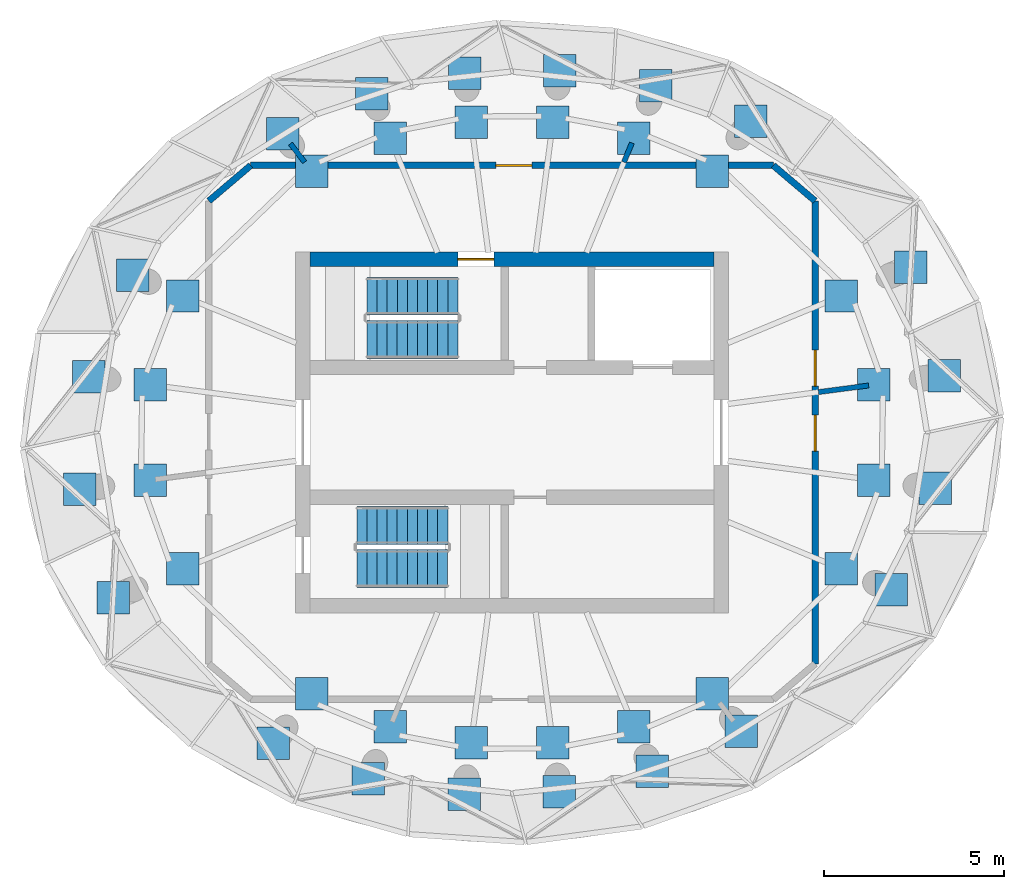
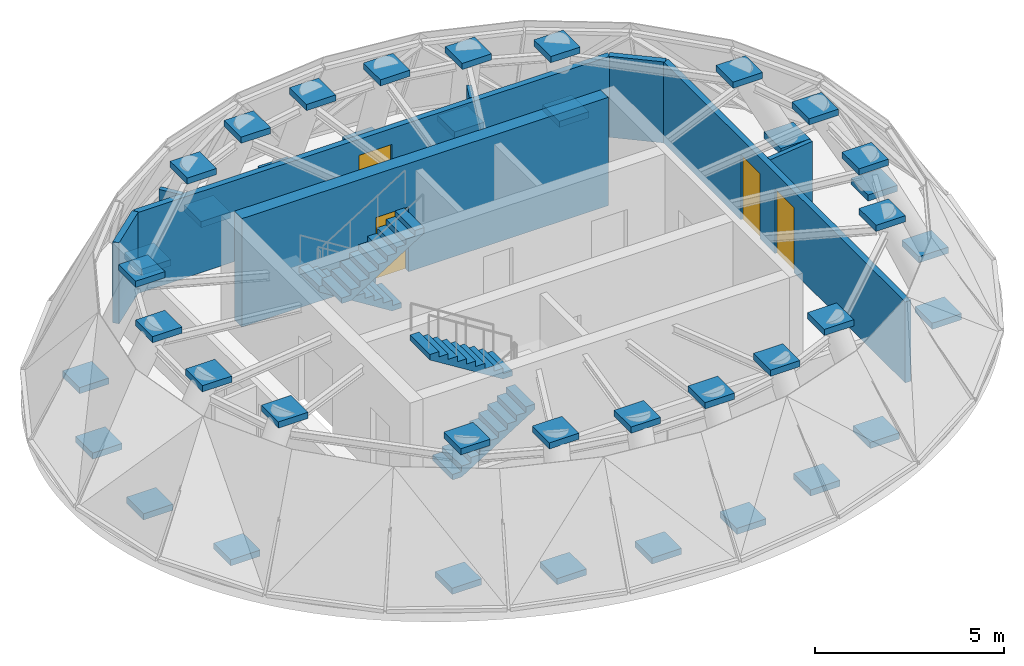
# One storey, part 7 of 8: 40 discrete accessories, 8 walls, 4 doors, 4 stair flights, 4 openings, 2 elements without a shape of their own.
"""IFC4 building model written with IfcOpenShell, lengths in metres."""

from ifc_helpers import new_model, si_unit, direction, frame, frame_2d, origin, origin_2d, place, context, subcontext, project, spatial, line, indexed_curve, rectangle, outline, extrude, source, transform, mapped, material, layer, layer_set, type_object, element, fill, aggregate, save


model = new_model("IFC4")

# Units and contexts
model_context = context("Model", 3, precision=1e-05, world=origin(), true_north=direction((0.0, 1.0)))
body_context = subcontext(model_context, "Body", "Model", "MODEL_VIEW")
ifc_project = project(units=[si_unit("LENGTHUNIT", "METRE"), si_unit("AREAUNIT", "SQUARE_METRE"), si_unit("VOLUMEUNIT", "CUBIC_METRE"), si_unit("PLANEANGLEUNIT", "RADIAN"), si_unit("MASSUNIT", "GRAM", prefix="KILO")], contexts=[model_context])

# Site, building, storey
site_placement = place(None, origin())
site = spatial("IfcSite", under=ifc_project, at=site_placement, CompositionType="ELEMENT")
building_placement = place(site_placement, origin())
building = spatial("IfcBuilding", under=site, at=building_placement, Name="Spindrift Exchange Tower", CompositionType="ELEMENT")
storey_placement = place(building_placement, frame((0.0, 0.0, 283.60009765625)))
storey = spatial("IfcBuildingStorey", under=building, at=storey_placement, Name="L70", CompositionType="ELEMENT", Elevation=283.60009765625)

# Wall, opening, door
ifc_material_1 = material(Name="Concrete 40 MPa", Category="concrete")
ifc_layer_1 = layer(ifc_material_1, 0.39990234375)
ifc_layer_set_1 = layer_set([ifc_layer_1], Name="RC Core Wall 400 Concrete 40 MPa")
wall_type_1 = type_object("IfcWallType", Name="RC Core Wall 400 Concrete 40 MPa", PredefinedType="SHEAR", material=ifc_layer_set_1)
wall_1_placement = place(storey_placement, frame((57.60009765625, 52.800048828125, 0.0), z_axis=(0.0, 0.0, 1.0), x_axis=(-1.0, 0.0, 0.0)))
wall_1 = element("IfcWall", 1, at=wall_1_placement, inside=storey, type_object=wall_type_1, Name="Core wall N L70", PredefinedType="SHEAR", context=body_context, shape_type="SweptSolid", body=[
    extrude(rectangle(XDim=11.2001953125, YDim=0.39990234375, at=frame_2d((5.60009765625, 0.0))), origin(), (0.0, 0.0, 1.0), 3.5),
])
opening_1_placement = place(wall_1_placement, frame((6.10009765625, 0.0, 0.0)))
opening_1 = element("IfcOpeningElement", 2, at=opening_1_placement, cuts=wall_1, Name="Opening L70-D3", PredefinedType="OPENING", context=body_context, shape_type="SweptSolid", body=[
    extrude(rectangle(XDim=1.0, YDim=2.10009765625, at=frame_2d((0.5, 1.050048828125))), frame((0.0, 0.2099609375, 0.0), z_axis=(0.0, -1.0, 0.0), x_axis=(1.0, 0.0, 0.0)), (0.0, 0.0, 1.0), 0.419921875),
])
ifc_material_2 = material(Name="Steel fire door", Category="steel")
door_type_1 = type_object("IfcDoorType", Name="DR-STAIR-1000", OperationType="NOTDEFINED", PredefinedType="DOOR", material=ifc_material_2)
shared_shape_1 = source(origin(), body_context, "Body", "SweptSolid", [
    extrude(rectangle(XDim=1.0, YDim=2.10009765625, at=frame_2d((0.5, 1.050048828125))), frame((0.0, 0.02490234375, 0.0), z_axis=(0.0, -1.0, 0.0), x_axis=(1.0, 0.0, 0.0)), (0.0, 0.0, 1.0), 0.050048828125),
])
door_1_placement = place(opening_1_placement, origin())
door_1 = element("IfcDoor", 3, at=door_1_placement, inside=storey, type_object=door_type_1, Name="L70 Stair door 3", OperationType="SINGLE_SWING_RIGHT", OverallHeight=2.10009765625, OverallWidth=1.0, PredefinedType="DOOR", context=body_context, shape_type="MappedRepresentation", body=[
    mapped(shared_shape_1, transform((0.0, 0.0, 0.0), scale=1.0)),
])
fill(opening_1, door_1)

# Walls
ifc_material_3 = material(Name="Fire-rated plasterboard partition", Category="gypsum")
ifc_layer_2 = layer(ifc_material_3, 0.139892578125)
ifc_layer_set_2 = layer_set([ifc_layer_2], Name="W-PLANT-140")
wall_type_2 = type_object("IfcWallType", Name="W-PLANT-140", PredefinedType="PARTITIONING", material=ifc_layer_set_2)
wall_2_placement = place(storey_placement, frame((60.489990234375, 49.11767578125, 0.0), z_axis=(0.0, 0.0, 1.0), x_axis=(0.991446604194, 0.130512953506, 0.0)))
element("IfcWall", 4, at=wall_2_placement, inside=storey, type_object=wall_type_2, Name="L70 Partition wall 9", PredefinedType="PARTITIONING", context=body_context, shape_type="SweptSolid", body=[
    extrude(rectangle(XDim=1.40478515625, YDim=0.139892578125, at=frame_2d((0.702392578125, 0.0))), origin(), (0.0, 0.0, 1.0), 2.619873046875),
])
wall_3_placement = place(storey_placement, frame((55.1025390625, 55.489990234375, 0.0), z_axis=(0.0, 0.0, 1.0), x_axis=(0.382564297979, 0.923928870591, 0.0)))
element("IfcWall", 5, at=wall_3_placement, inside=storey, type_object=wall_type_2, Name="L70 Partition wall 11", PredefinedType="PARTITIONING", context=body_context, shape_type="SweptSolid", body=[
    extrude(rectangle(XDim=0.574951171875, YDim=0.139892578125, at=frame_2d((0.28759765625, 0.0))), origin(), (0.0, 0.0, 1.0), 2.619873046875),
])
wall_4_placement = place(storey_placement, frame((46.252685546875, 55.489990234375, 0.0), z_axis=(0.0, 0.0, 1.0), x_axis=(-0.608757758263, 0.79335615694, 0.0)))
element("IfcWall", 6, at=wall_4_placement, inside=storey, type_object=wall_type_2, Name="L70 Partition wall 12", PredefinedType="PARTITIONING", context=body_context, shape_type="SweptSolid", body=[
    extrude(rectangle(XDim=0.64404296875, YDim=0.139892578125, at=frame_2d((0.322021484375, 0.0))), origin(), (0.0, 0.0, 1.0), 2.619873046875),
])

# Wall, opening, door
ifc_layer_3 = layer(ifc_material_3, 0.179931640625)
ifc_layer_set_3 = layer_set([ifc_layer_3], Name="W-PLANT-180")
wall_type_3 = type_object("IfcWallType", Name="W-PLANT-180", PredefinedType="PARTITIONING", material=ifc_layer_set_3)
wall_5_placement = place(storey_placement, frame((44.76025390625, 55.39990234375, 0.0), z_axis=(0.0, 0.0, 1.0), x_axis=(1.0, 0.0, 0.0)))
wall_5 = element("IfcWall", 7, at=wall_5_placement, inside=storey, type_object=wall_type_3, Name="L70 Partition wall 4", PredefinedType="PARTITIONING", context=body_context, shape_type="SweptSolid", body=[
    extrude(rectangle(XDim=14.4794921875, YDim=0.179931640625, at=frame_2d((7.23974609375, 0.0))), origin(), (0.0, 0.0, 1.0), 2.619873046875),
])
opening_2_placement = place(wall_5_placement, frame((6.789794921875, 0.0, 0.0)))
opening_2 = element("IfcOpeningElement", 8, at=opening_2_placement, cuts=wall_5, Name="Opening L70-D7", PredefinedType="OPENING", context=body_context, shape_type="SweptSolid", body=[
    extrude(rectangle(XDim=1.0, YDim=2.10009765625, at=frame_2d((0.5, 1.050048828125))), frame((0.0, 0.099853515625, 0.0), z_axis=(0.0, -1.0, 0.0), x_axis=(1.0, 0.0, 0.0)), (0.0, 0.0, 1.0), 0.199951171875),
])
ifc_material_4 = material(Name="Timber-core fire door", Category="wood")
door_type_2 = type_object("IfcDoorType", Name="DR-ROOM-1000", OperationType="NOTDEFINED", PredefinedType="DOOR", material=ifc_material_4)
shared_shape_2 = source(origin(), body_context, "Body", "SweptSolid", [
    extrude(rectangle(XDim=1.0, YDim=2.10009765625, at=frame_2d((0.5, 1.050048828125))), frame((0.0, 0.02490234375, 0.0), z_axis=(0.0, -1.0, 0.0), x_axis=(1.0, 0.0, 0.0)), (0.0, 0.0, 1.0), 0.050048828125),
])
door_2_placement = place(opening_2_placement, origin())
door_2 = element("IfcDoor", 9, at=door_2_placement, inside=storey, type_object=door_type_2, Name="L70 Door 7", OperationType="SINGLE_SWING_LEFT", OverallHeight=2.10009765625, OverallWidth=1.0, PredefinedType="DOOR", context=body_context, shape_type="MappedRepresentation", body=[
    mapped(shared_shape_2, transform((0.0, 0.0, 0.0), scale=1.0)),
])
fill(opening_2, door_2)

# Wall, openings, doors
wall_6_placement = place(storey_placement, frame((60.39990234375, 54.414306640625, 0.0), z_axis=(0.0, 0.0, 1.0), x_axis=(0.0, -1.0, 0.0)))
wall_6 = element("IfcWall", 10, at=wall_6_placement, inside=storey, type_object=wall_type_3, Name="L70 Partition wall 6", PredefinedType="PARTITIONING", context=body_context, shape_type="SweptSolid", body=[
    extrude(rectangle(XDim=12.82861328125, YDim=0.179931640625, at=frame_2d((6.414306640625, 0.0))), origin(), (0.0, 0.0, 1.0), 2.619873046875),
])
opening_3_placement = place(wall_6_placement, frame((4.13427734375, 0.0, 0.0)))
opening_3 = element("IfcOpeningElement", 11, at=opening_3_placement, cuts=wall_6, Name="Opening L70-D6", PredefinedType="OPENING", context=body_context, shape_type="SweptSolid", body=[
    extrude(rectangle(XDim=1.0, YDim=2.10009765625, at=frame_2d((0.5, 1.050048828125))), frame((0.0, 0.099853515625, 0.0), z_axis=(0.0, -1.0, 0.0), x_axis=(1.0, 0.0, 0.0)), (0.0, 0.0, 1.0), 0.199951171875),
])
opening_4_placement = place(wall_6_placement, frame((5.934326171875, 0.0, 0.0)))
opening_4 = element("IfcOpeningElement", 12, at=opening_4_placement, cuts=wall_6, Name="Opening L70-D11", PredefinedType="OPENING", context=body_context, shape_type="SweptSolid", body=[
    extrude(rectangle(XDim=1.0, YDim=2.10009765625, at=frame_2d((0.5, 1.050048828125))), frame((0.0, 0.099853515625, 0.0), z_axis=(0.0, -1.0, 0.0), x_axis=(1.0, 0.0, 0.0)), (0.0, 0.0, 1.0), 0.199951171875),
])
door_3_placement = place(opening_3_placement, origin())
door_3 = element("IfcDoor", 13, at=door_3_placement, inside=storey, type_object=door_type_2, Name="L70 Door 6", OperationType="SINGLE_SWING_RIGHT", OverallHeight=2.10009765625, OverallWidth=1.0, PredefinedType="DOOR", context=body_context, shape_type="MappedRepresentation", body=[
    mapped(shared_shape_2, transform((0.0, 0.0, 0.0), scale=1.0)),
])
fill(opening_3, door_3)
door_4_placement = place(opening_4_placement, origin())
door_4 = element("IfcDoor", 14, at=door_4_placement, inside=storey, type_object=door_type_2, Name="L70 Door 11", OperationType="SINGLE_SWING_LEFT", OverallHeight=2.10009765625, OverallWidth=1.0, PredefinedType="DOOR", context=body_context, shape_type="MappedRepresentation", body=[
    mapped(shared_shape_2, transform((0.0, 0.0, 0.0), scale=1.0)),
])
fill(opening_4, door_4)

# Walls
for number, where, z_axis, x_axis, name in (
    (15, (59.23974609375, 55.39990234375, 0.0), (0.0, 0.0, 1.0), (0.762113400958, -0.647443560536, 0.0), "L70 Partition wall 14"),
    (16, (44.76025390625, 55.39990234375, 0.0), (0.0, 0.0, 1.0), (-0.762113400958, -0.647443560536, 0.0), "L70 Partition wall 15"),
):
    element("IfcWall", number, at=place(storey_placement, frame(where, z_axis=z_axis, x_axis=x_axis)), inside=storey, type_object=wall_type_3, Name=name, PredefinedType="PARTITIONING", context=body_context, shape_type="SweptSolid", body=[
        extrude(rectangle(XDim=1.522216796875, YDim=0.179931640625, at=frame_2d((0.76123046875, 0.0))), origin(), (0.0, 0.0, 1.0), 2.619873046875),
    ])

# Stair, stair flights
ifc_material_5 = material(Name="Concrete 50 MPa", Category="concrete")
stair_type = type_object("IfcStairType", Name="ST-1050-R175", PredefinedType="HALF_TURN_STAIR", material=ifc_material_5)
stair_1_placement = place(storey_placement, origin())
stair_1 = element("IfcStair", 17, at=stair_1_placement, inside=storey, type_object=stair_type, Name="L70 Exit stair ST3", PredefinedType="HALF_TURN_STAIR")
stair_flight_type = type_object("IfcStairFlightType", Name="STF-1050-R175", PredefinedType="STRAIGHT", material=ifc_material_5)
stair_flight_1_placement = place(storey_placement, frame((50.5, 51.77490234375, 0.0), z_axis=(0.0, 0.0, 1.0), x_axis=(-1.0, 0.0, 0.0)))
stair_flight_1 = element("IfcStairFlight", 18, at=stair_flight_1_placement, type_object=stair_flight_type, Name="ST3 flight 1", NumberOfRisers=10, NumberOfTreads=9, PredefinedType="STRAIGHT", RiserHeight=0.175, TreadLength=0.28, context=body_context, shape_type="SweptSolid", body=[
    extrude(outline(indexed_curve([(0.0, 0.0), (0.0, 0.1748046875), (0.2802734375, 0.1748046875), (0.2802734375, 0.349609375), (0.5595703125, 0.349609375), (0.5595703125, 0.525390625), (0.83984375, 0.525390625), (0.83984375, 0.7001953125), (1.1201171875, 0.7001953125), (1.1201171875, 0.875), (1.400390625, 0.875), (1.400390625, 1.0498046875), (1.6796875, 1.0498046875), (1.6796875, 1.224609375), (1.9599609375, 1.224609375), (1.9599609375, 1.400390625), (2.240234375, 1.400390625), (2.240234375, 1.5751953125), (2.51953125, 1.5751953125), (2.51953125, 1.75), (2.51953125, 1.3984375), (0.283203125, 0.0)], segments=[line(1, 2, 3, 4, 5, 6, 7, 8, 9, 10, 11, 12, 13, 14, 15, 16, 17, 18, 19, 20, 21, 22, 1)], self_intersect=False)), frame((0.0, 0.52490234375, 0.0), z_axis=(0.0, -1.0, 0.0), x_axis=(1.0, 0.0, 0.0)), (0.0, 0.0, 1.0), 1.050048828125),
])
stair_flight_2_placement = place(storey_placement, frame((47.97998046875, 50.574951171875, 1.75), z_axis=(0.0, 0.0, 1.0), x_axis=(1.0, 0.0, 0.0)))
stair_flight_2 = element("IfcStairFlight", 19, at=stair_flight_2_placement, type_object=stair_flight_type, Name="ST3 flight 2", NumberOfRisers=10, NumberOfTreads=9, PredefinedType="STRAIGHT", RiserHeight=0.175, TreadLength=0.28, context=body_context, shape_type="SweptSolid", body=[
    extrude(outline(indexed_curve([(0.0, 0.0), (0.0, 0.1748046875), (0.2802734375, 0.1748046875), (0.2802734375, 0.349609375), (0.5595703125, 0.349609375), (0.5595703125, 0.525390625), (0.83984375, 0.525390625), (0.83984375, 0.7001953125), (1.1201171875, 0.7001953125), (1.1201171875, 0.875), (1.400390625, 0.875), (1.400390625, 1.0498046875), (1.6796875, 1.0498046875), (1.6796875, 1.224609375), (1.9599609375, 1.224609375), (1.9599609375, 1.400390625), (2.240234375, 1.400390625), (2.240234375, 1.5751953125), (2.51953125, 1.5751953125), (2.51953125, 1.75), (2.51953125, 1.3984375), (0.283203125, 0.0)], segments=[line(1, 2, 3, 4, 5, 6, 7, 8, 9, 10, 11, 12, 13, 14, 15, 16, 17, 18, 19, 20, 21, 22, 1)], self_intersect=False)), frame((0.0, 0.52490234375, 0.0), z_axis=(0.0, -1.0, 0.0), x_axis=(1.0, 0.0, 0.0)), (0.0, 0.0, 1.0), 1.050048828125),
])
aggregate(stair_1, [stair_flight_1, stair_flight_2])

stair_2_placement = place(storey_placement, origin())
stair_2 = element("IfcStair", 20, at=stair_2_placement, inside=storey, type_object=stair_type, Name="L70 Exit stair ST4", PredefinedType="HALF_TURN_STAIR")
stair_flight_3_placement = place(storey_placement, frame((47.699951171875, 44.22509765625, 0.0), z_axis=(0.0, 0.0, 1.0), x_axis=(1.0, 0.0, 0.0)))
stair_flight_3 = element("IfcStairFlight", 21, at=stair_flight_3_placement, type_object=stair_flight_type, Name="ST4 flight 1", NumberOfRisers=10, NumberOfTreads=9, PredefinedType="STRAIGHT", RiserHeight=0.175, TreadLength=0.28, context=body_context, shape_type="SweptSolid", body=[
    extrude(outline(indexed_curve([(0.0, 0.0), (0.0, 0.1748046875), (0.2802734375, 0.1748046875), (0.2802734375, 0.349609375), (0.5595703125, 0.349609375), (0.5595703125, 0.525390625), (0.83984375, 0.525390625), (0.83984375, 0.7001953125), (1.1201171875, 0.7001953125), (1.1201171875, 0.875), (1.400390625, 0.875), (1.400390625, 1.0498046875), (1.6796875, 1.0498046875), (1.6796875, 1.224609375), (1.9599609375, 1.224609375), (1.9599609375, 1.400390625), (2.240234375, 1.400390625), (2.240234375, 1.5751953125), (2.51953125, 1.5751953125), (2.51953125, 1.75), (2.51953125, 1.3984375), (0.283203125, 0.0)], segments=[line(1, 2, 3, 4, 5, 6, 7, 8, 9, 10, 11, 12, 13, 14, 15, 16, 17, 18, 19, 20, 21, 22, 1)], self_intersect=False)), frame((0.0, 0.52490234375, 0.0), z_axis=(0.0, -1.0, 0.0), x_axis=(1.0, 0.0, 0.0)), (0.0, 0.0, 1.0), 1.050048828125),
])
stair_flight_4_placement = place(storey_placement, frame((50.219970703125, 45.425048828125, 1.75), z_axis=(0.0, 0.0, 1.0), x_axis=(-1.0, 0.0, 0.0)))
stair_flight_4 = element("IfcStairFlight", 22, at=stair_flight_4_placement, type_object=stair_flight_type, Name="ST4 flight 2", NumberOfRisers=10, NumberOfTreads=9, PredefinedType="STRAIGHT", RiserHeight=0.175, TreadLength=0.28, context=body_context, shape_type="SweptSolid", body=[
    extrude(outline(indexed_curve([(0.0, 0.0), (0.0, 0.1748046875), (0.2802734375, 0.1748046875), (0.2802734375, 0.349609375), (0.5595703125, 0.349609375), (0.5595703125, 0.525390625), (0.83984375, 0.525390625), (0.83984375, 0.7001953125), (1.1201171875, 0.7001953125), (1.1201171875, 0.875), (1.400390625, 0.875), (1.400390625, 1.0498046875), (1.6796875, 1.0498046875), (1.6796875, 1.224609375), (1.9599609375, 1.224609375), (1.9599609375, 1.400390625), (2.240234375, 1.400390625), (2.240234375, 1.5751953125), (2.51953125, 1.5751953125), (2.51953125, 1.75), (2.51953125, 1.3984375), (0.283203125, 0.0)], segments=[line(1, 2, 3, 4, 5, 6, 7, 8, 9, 10, 11, 12, 13, 14, 15, 16, 17, 18, 19, 20, 21, 22, 1)], self_intersect=False)), frame((0.0, 0.52490234375, 0.0), z_axis=(0.0, -1.0, 0.0), x_axis=(1.0, 0.0, 0.0)), (0.0, 0.0, 1.0), 1.050048828125),
])
aggregate(stair_2, [stair_flight_3, stair_flight_4])

# Discrete accessories
ifc_material_6 = material(Name="Steel Grade 350", Category="steel")
ifc_layer_4 = layer(ifc_material_6, 0.89990234375)
ifc_layer_set_4 = layer_set([ifc_layer_4], Name="Bearing shoe 900x900x200 Steel Grade 350")
discrete_accessory_type = type_object("IfcDiscreteAccessoryType", Name="Bearing shoe 900x900x200 Steel Grade 350", PredefinedType="USERDEFINED", material=ifc_layer_set_4)
shared_shape_3 = source(origin(), body_context, "Body", "SweptSolid", [
    extrude(rectangle(XDim=0.89990234375, YDim=0.89990234375, at=origin_2d()), origin(), (0.0, 0.0, 1.0), 0.199951171875),
])
for number, where, z_axis, x_axis, name in (
    (23, (63.980224609375, 49.5771484375, 0.17431640625), (0.0, 0.0, 1.0), (1.0, 0.0, 0.0), "L70 bearing shoe 01 foot"),
    (24, (62.031005859375, 49.320556640625, 3.47412109375), (0.0, 0.0, 1.0), (1.0, 0.0, 0.0), "L70 bearing shoe 01 head"),
    (25, (63.047119140625, 52.57568359375, 0.181640625), (0.0, 0.0, 1.0), (1.0, 0.0, 0.0), "L70 bearing shoe 02 foot"),
    (26, (61.12890625, 51.78125, 3.4814453125), (0.0, 0.0, 1.0), (1.0, 0.0, 0.0), "L70 bearing shoe 02 head"),
    (27, (58.61328125, 56.618896484375, 0.15869140625), (0.0, 0.0, 1.0), (1.0, 0.0, 0.0), "L70 bearing shoe 04 foot"),
    (28, (57.55517578125, 55.239501953125, 3.45849609375), (0.0, 0.0, 1.0), (1.0, 0.0, 0.0), "L70 bearing shoe 04 head"),
    (29, (55.977294921875, 57.601806640625, 0.1455078125), (0.0, 0.0, 1.0), (1.0, 0.0, 0.0), "L70 bearing shoe 05 foot"),
    (30, (55.378662109375, 56.15673828125, 3.44580078125), (0.0, 0.0, 1.0), (1.0, 0.0, 0.0), "L70 bearing shoe 05 head"),
    (31, (53.319580078125, 58.023193359375, 0.13623046875), (0.0, 0.0, 1.0), (1.0, 0.0, 0.0), "L70 bearing shoe 06 foot"),
    (32, (53.131591796875, 56.59619140625, 3.43603515625), (0.0, 0.0, 1.0), (1.0, 0.0, 0.0), "L70 bearing shoe 06 head"),
    (33, (50.689208984375, 57.9560546875, 0.130859375), (0.0, 0.0, 1.0), (1.0, 0.0, 0.0), "L70 bearing shoe 07 foot"),
    (34, (50.868408203125, 56.59619140625, 3.4306640625), (0.0, 0.0, 1.0), (1.0, 0.0, 0.0), "L70 bearing shoe 07 head"),
    (35, (48.109619140625, 57.39208984375, 0.1279296875), (0.0, 0.0, 1.0), (1.0, 0.0, 0.0), "L70 bearing shoe 08 foot"),
    (36, (48.621337890625, 56.15673828125, 3.427734375), (0.0, 0.0, 1.0), (1.0, 0.0, 0.0), "L70 bearing shoe 08 head"),
    (37, (45.644775390625, 56.2822265625, 0.1259765625), (0.0, 0.0, 1.0), (1.0, 0.0, 0.0), "L70 bearing shoe 09 foot"),
    (38, (46.44482421875, 55.239501953125, 3.42578125), (0.0, 0.0, 1.0), (1.0, 0.0, 0.0), "L70 bearing shoe 09 head"),
    (39, (41.486572265625, 52.354736328125, 0.140625), (0.0, 0.0, 1.0), (1.0, 0.0, 0.0), "L70 bearing shoe 11 foot"),
    (40, (42.87109375, 51.78125, 3.44091796875), (0.0, 0.0, 1.0), (1.0, 0.0, 0.0), "L70 bearing shoe 11 head"),
    (41, (40.26708984375, 49.544677734375, 0.1572265625), (0.0, 0.0, 1.0), (1.0, 0.0, 0.0), "L70 bearing shoe 12 foot"),
    (42, (41.968994140625, 49.320556640625, 3.45703125), (0.0, 0.0, 1.0), (1.0, 0.0, 0.0), "L70 bearing shoe 12 head"),
    (43, (40.019775390625, 46.4228515625, 0.17431640625), (0.0, 0.0, 1.0), (1.0, 0.0, 0.0), "L70 bearing shoe 13 foot"),
    (44, (41.968994140625, 46.679443359375, 3.47412109375), (0.0, 0.0, 1.0), (1.0, 0.0, 0.0), "L70 bearing shoe 13 head"),
    (45, (40.952880859375, 43.42431640625, 0.181640625), (0.0, 0.0, 1.0), (1.0, 0.0, 0.0), "L70 bearing shoe 14 foot"),
    (46, (42.87109375, 44.21875, 3.4814453125), (0.0, 0.0, 1.0), (1.0, 0.0, 0.0), "L70 bearing shoe 14 head"),
    (47, (45.38671875, 39.381103515625, 0.15869140625), (0.0, 0.0, 1.0), (1.0, 0.0, 0.0), "L70 bearing shoe 16 foot"),
    (48, (46.44482421875, 40.760498046875, 3.45849609375), (0.0, 0.0, 1.0), (1.0, 0.0, 0.0), "L70 bearing shoe 16 head"),
    (49, (48.022705078125, 38.398193359375, 0.1455078125), (0.0, 0.0, 1.0), (1.0, 0.0, 0.0), "L70 bearing shoe 17 foot"),
    (50, (48.621337890625, 39.84326171875, 3.44580078125), (0.0, 0.0, 1.0), (1.0, 0.0, 0.0), "L70 bearing shoe 17 head"),
    (51, (50.680419921875, 37.976806640625, 0.13623046875), (0.0, 0.0, 1.0), (1.0, 0.0, 0.0), "L70 bearing shoe 18 foot"),
    (52, (50.868408203125, 39.40380859375, 3.43603515625), (0.0, 0.0, 1.0), (1.0, 0.0, 0.0), "L70 bearing shoe 18 head"),
    (53, (53.310791015625, 38.0439453125, 0.130859375), (0.0, 0.0, 1.0), (1.0, 0.0, 0.0), "L70 bearing shoe 19 foot"),
    (54, (53.131591796875, 39.40380859375, 3.4306640625), (0.0, 0.0, 1.0), (1.0, 0.0, 0.0), "L70 bearing shoe 19 head"),
    (55, (55.890380859375, 38.60791015625, 0.1279296875), (0.0, 0.0, 1.0), (1.0, 0.0, 0.0), "L70 bearing shoe 20 foot"),
    (56, (55.378662109375, 39.84326171875, 3.427734375), (0.0, 0.0, 1.0), (1.0, 0.0, 0.0), "L70 bearing shoe 20 head"),
    (57, (58.355224609375, 39.7177734375, 0.1259765625), (0.0, 0.0, 1.0), (1.0, 0.0, 0.0), "L70 bearing shoe 21 foot"),
    (58, (57.55517578125, 40.760498046875, 3.42578125), (0.0, 0.0, 1.0), (1.0, 0.0, 0.0), "L70 bearing shoe 21 head"),
    (59, (62.513427734375, 43.645263671875, 0.140625), (0.0, 0.0, 1.0), (1.0, 0.0, 0.0), "L70 bearing shoe 23 foot"),
    (60, (61.12890625, 44.21875, 3.44091796875), (0.0, 0.0, 1.0), (1.0, 0.0, 0.0), "L70 bearing shoe 23 head"),
    (61, (63.73291015625, 46.455322265625, 0.1572265625), (0.0, 0.0, 1.0), (1.0, 0.0, 0.0), "L70 bearing shoe 24 foot"),
    (62, (62.031005859375, 46.679443359375, 3.45703125), (0.0, 0.0, 1.0), (1.0, 0.0, 0.0), "L70 bearing shoe 24 head"),
):
    element("IfcDiscreteAccessory", number, at=place(storey_placement, frame(where, z_axis=z_axis, x_axis=x_axis)), inside=storey, type_object=discrete_accessory_type, Name=name, ObjectType="Bearing shoe", PredefinedType="USERDEFINED", context=body_context, shape_type="MappedRepresentation", body=[
        mapped(shared_shape_3, transform((0.0, 0.0, 0.0), scale=1.0)),
    ])

save(model, "model.ifc")
